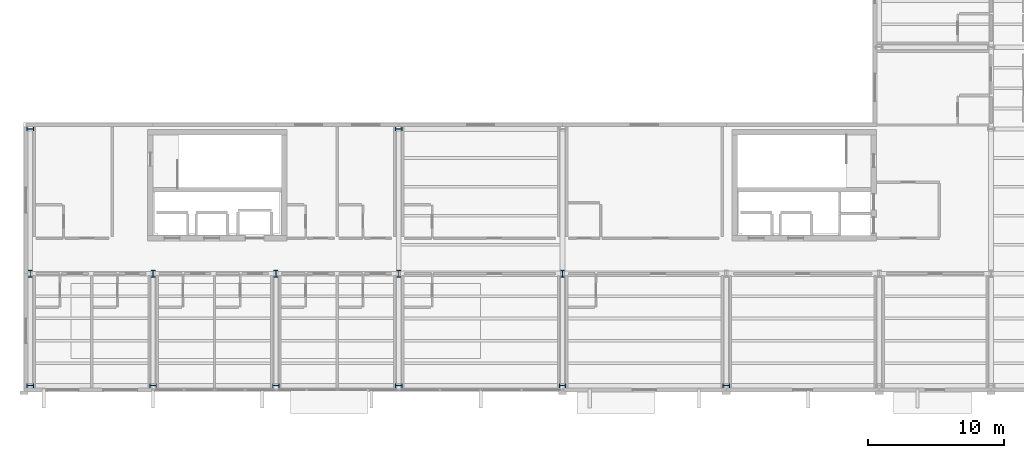
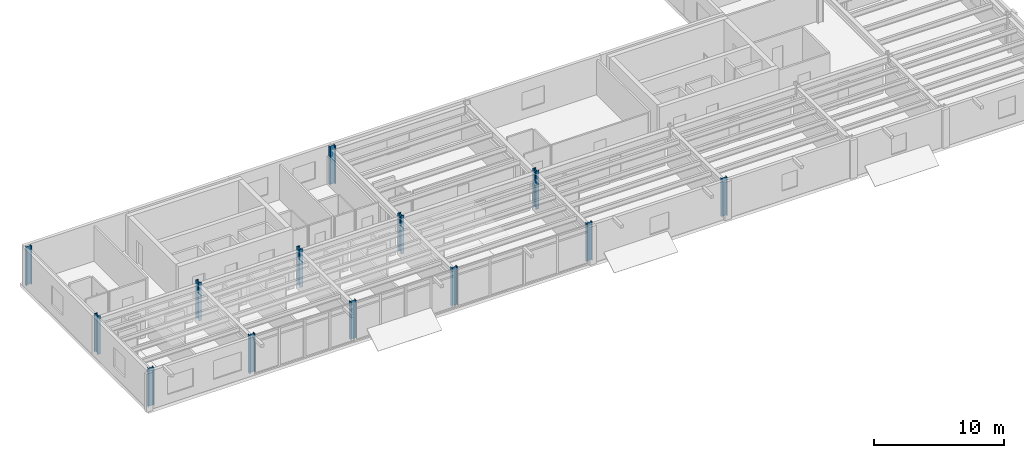
# One storey, part 1 of 19: 13 columns.
"""IFC4 building model written with IfcOpenShell, lengths in metres."""

from ifc_helpers import new_model, si_unit, direction, frame, origin, origin_2d, place, context, subcontext, project, spatial, i_section, extrude, material, material_profile, profile_set, type_object, element, save


model = new_model("IFC4")

# Units and contexts
model_context = context("Model", 3, precision=1e-05, world=origin(), true_north=direction((0.0, 1.0)))
body_context = subcontext(model_context, "Body", "Model", "MODEL_VIEW")
ifc_project = project(units=[si_unit("LENGTHUNIT", "METRE"), si_unit("AREAUNIT", "SQUARE_METRE"), si_unit("VOLUMEUNIT", "CUBIC_METRE"), si_unit("PLANEANGLEUNIT", "RADIAN"), si_unit("MASSUNIT", "GRAM", prefix="KILO")], contexts=[model_context])

# Site, building, storey
site_placement = place(None, origin())
site = spatial("IfcSite", under=ifc_project, at=site_placement, CompositionType="ELEMENT")
building_placement = place(site_placement, origin())
building = spatial("IfcBuilding", under=site, at=building_placement, Name="Sollismere Congress Hotel", CompositionType="ELEMENT")
storey_placement = place(building_placement, frame((0.0, 0.0, 44.60009765625)))
storey = spatial("IfcBuildingStorey", under=building, at=storey_placement, Name="L11", CompositionType="ELEMENT", Elevation=44.60009765625)

# Columns
ifc_material = material(Name="Steel ASTM A992 Grade 50", Category="steel")
ifc_material_profile = material_profile(ifc_material, i_section(OverallWidth=0.283935546875, OverallDepth=0.4951171875, WebThickness=0.0185546875, FlangeThickness=0.033447265625, at=origin_2d()), Name="W18X143")
ifc_profile_set = profile_set([ifc_material_profile], Name="Steel ASTM A992 Grade 50")
column_type = type_object("IfcColumnType", Name="COL-W18", PredefinedType="COLUMN", material=ifc_profile_set)
for number, where, z_axis, x_axis, name in (
    (1, (85.0, 0.0, 0.0), (0.0, 0.0, 1.0), (0.0, 1.0, 0.0), "Column CL-L11-405"),
    (2, (85.0, 8.199951171875, 0.0), (0.0, 0.0, 1.0), (1.0, 0.0, 0.0), "Column CL-L11-418"),
    (3, (85.0, 18.800048828125, 0.0), (0.0, 0.0, 1.0), (0.0, 1.0, 0.0), "Column CL-L11-431"),
    (4, (94.0, 0.0, 0.0), (0.0, 0.0, 1.0), (0.0, 1.0, 0.0), "Column CL-L11-464"),
    (5, (94.0, 8.199951171875, 0.0), (0.0, 0.0, 1.0), (1.0, 0.0, 0.0), "Column CL-L11-477"),
    (6, (103.0, 0.0, 0.0), (0.0, 0.0, 1.0), (0.0, 1.0, 0.0), "Column CL-L11-522"),
    (7, (103.0, 8.199951171875, 0.0), (0.0, 0.0, 1.0), (1.0, 0.0, 0.0), "Column CL-L11-535"),
    (8, (112.0, 0.0, 0.0), (0.0, 0.0, 1.0), (0.0, 1.0, 0.0), "Column CL-L11-580"),
    (9, (112.0, 8.199951171875, 0.0), (0.0, 0.0, 1.0), (1.0, 0.0, 0.0), "Column CL-L11-593"),
    (10, (112.0, 18.800048828125, 0.0), (0.0, 0.0, 1.0), (0.0, 1.0, 0.0), "Column CL-L11-606"),
    (11, (124.0, 0.0, 0.0), (0.0, 0.0, 1.0), (0.0, 1.0, 0.0), "Column CL-L11-658"),
    (12, (124.0, 8.199951171875, 0.0), (0.0, 0.0, 1.0), (1.0, 0.0, 0.0), "Column CL-L11-671"),
    (13, (136.0, 0.0, 0.0), (0.0, 0.0, 1.0), (0.0, 1.0, 0.0), "Column CL-L11-739"),
):
    element("IfcColumn", number, at=place(storey_placement, frame(where, z_axis=z_axis, x_axis=x_axis)), inside=storey, type_object=column_type, Name=name, PredefinedType="COLUMN", context=body_context, shape_type="SweptSolid", body=[
        extrude(i_section(OverallWidth=0.283935546875, OverallDepth=0.4951171875, WebThickness=0.0185546875, FlangeThickness=0.033447265625, at=origin_2d()), origin(), (0.0, 0.0, 1.0), 3.599853515625),
    ])

save(model, "model.ifc")
